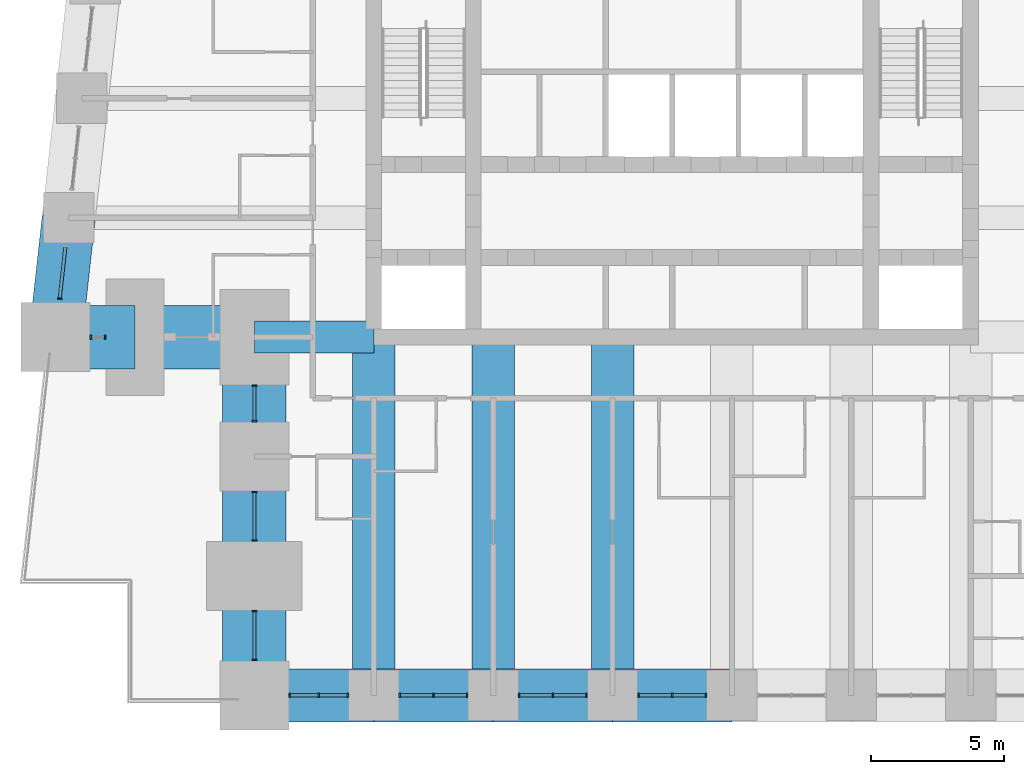
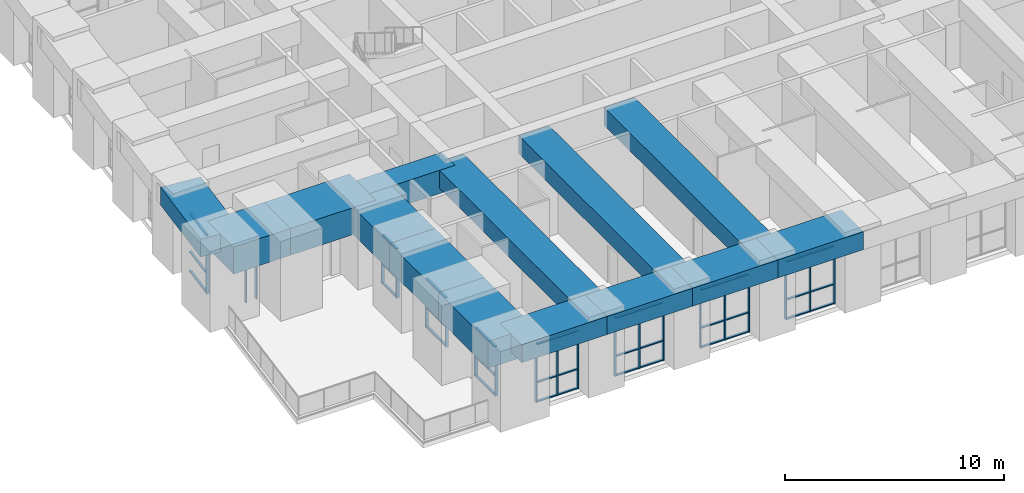
# One storey, part 2 of 16: 57 members, 14 beams, 9 elements without a shape of their own.
"""IFC4 building model written with IfcOpenShell, lengths in metres."""

from ifc_helpers import new_model, si_unit, direction, frame, origin, origin_2d, place, context, subcontext, project, spatial, rectangle, extrude, material, material_profile, profile_set, type_object, element, aggregate, save


model = new_model("IFC4")

# Units and contexts
model_context = context("Model", 3, precision=1e-05, world=origin(), true_north=direction((0.0, 1.0)))
body_context = subcontext(model_context, "Body", "Model", "MODEL_VIEW")
ifc_project = project(units=[si_unit("LENGTHUNIT", "METRE"), si_unit("AREAUNIT", "SQUARE_METRE"), si_unit("VOLUMEUNIT", "CUBIC_METRE"), si_unit("PLANEANGLEUNIT", "RADIAN"), si_unit("MASSUNIT", "GRAM", prefix="KILO")], contexts=[model_context])

# Site, building, storey
site_placement = place(None, origin())
site = spatial("IfcSite", under=ifc_project, at=site_placement, CompositionType="ELEMENT")
building_placement = place(site_placement, origin())
building = spatial("IfcBuilding", under=site, at=building_placement, Name="Kilele Tower Hotel", CompositionType="ELEMENT")
storey_placement = place(building_placement, frame((0.0, 0.0, 157.89990234375)))
storey = spatial("IfcBuildingStorey", under=building, at=storey_placement, Name="L40", CompositionType="ELEMENT", Elevation=157.89990234375)

# Beams
ifc_material_1 = material(Name="Concrete C60/75", Category="concrete")
ifc_material_profile_1 = material_profile(ifc_material_1, rectangle(XDim=1.60009765625, YDim=1.0, at=origin_2d()))
ifc_profile_set_1 = profile_set([ifc_material_profile_1], Name="Concrete C60/75")
beam_type_1 = type_object("IfcBeamType", Name="Beam RC 1600x1000 C60/75", PredefinedType="BEAM", material=ifc_profile_set_1)
for number, where, z_axis, x_axis, name in (
    (1, (13.5, 0.0, 3.75), (0.0, 1.0, 0.0), (-1.0, 0.0, 0.0), "Beam BC1 level L41"),
    (2, (18.0, 0.0, 3.75), (0.0, 1.0, 0.0), (-1.0, 0.0, 0.0), "Beam BC1 level L41"),
    (3, (22.5, 0.0, 3.75), (0.0, 1.0, 0.0), (-1.0, 0.0, 0.0), "Beam BC1 level L41"),
):
    element("IfcBeam", number, at=place(storey_placement, frame(where, z_axis=z_axis, x_axis=x_axis)), inside=storey, type_object=beam_type_1, Name=name, PredefinedType="BEAM", context=body_context, shape_type="SweptSolid", body=[
        extrude(rectangle(XDim=1.60009765625, YDim=1.0, at=origin_2d()), origin(), (0.0, 0.0, 1.0), 13.5),
    ])
ifc_material_2 = material(Name="Concrete C60/75", Category="concrete")
ifc_material_profile_2 = material_profile(ifc_material_2, rectangle(XDim=1.199951171875, YDim=1.300048828125, at=origin_2d()))
ifc_profile_set_2 = profile_set([ifc_material_profile_2], Name="Concrete C60/75")
beam_type_2 = type_object("IfcBeamType", Name="Girder RC 1200x1300 C60/75 short span over transfer", PredefinedType="BEAM", material=ifc_profile_set_2)
beam_1_placement = place(storey_placement, frame((9.0, 13.5, 3.60009765625), z_axis=(1.0, 0.0, 0.0), x_axis=(0.0, 1.0, 0.0)))
element("IfcBeam", 4, at=beam_1_placement, inside=storey, type_object=beam_type_2, Name="Girder G6 level L41", PredefinedType="BEAM", context=body_context, shape_type="SweptSolid", body=[
    extrude(rectangle(XDim=1.199951171875, YDim=1.300048828125, at=origin_2d()), origin(), (0.0, 0.0, 1.0), 4.5),
])

# Curtain wall, members
ifc_material_3 = material(Name="Aluminium curtain wall, clear double glazing", Category="aluminium")
curtain_wall_type = type_object("IfcCurtainWallType", Name="Club lounge curtain wall CW-4", PredefinedType="NOTDEFINED", material=ifc_material_3)
curtain_wall_1_placement = place(storey_placement, origin())
curtain_wall_1 = element("IfcCurtainWall", 5, at=curtain_wall_1_placement, inside=storey, type_object=curtain_wall_type, Name="Club lounge curtain wall CW-4 L40", PredefinedType="NOTDEFINED")
ifc_material_4 = material(Name="Aluminium EN AW-6063 T6", Category="aluminium")
ifc_material_profile_3 = material_profile(ifc_material_4, rectangle(XDim=0.159912109375, YDim=0.06005859375, at=origin_2d()))
ifc_profile_set_3 = profile_set([ifc_material_profile_3], Name="Aluminium EN AW-6063 T6")
member_type_1 = type_object("IfcMemberType", Name="Mullion 60x160 CW-4", PredefinedType="MULLION", material=ifc_profile_set_3)
member_1_placement = place(storey_placement, frame((2.830078125, 13.5, 0.0), z_axis=(0.0, 0.0, 1.0), x_axis=(0.0, 1.0, 0.0)))
member_1 = element("IfcMember", 6, at=member_1_placement, type_object=member_type_1, Name="CW-4 mullion 1", PredefinedType="MULLION", context=body_context, shape_type="SweptSolid", body=[
    extrude(rectangle(XDim=0.159912109375, YDim=0.06005859375, at=origin_2d()), origin(), (0.0, 0.0, 1.0), 2.75),
])
member_2_placement = place(storey_placement, frame((3.3701171875, 13.5, 0.0), z_axis=(0.0, 0.0, 1.0), x_axis=(0.0, 1.0, 0.0)))
member_2 = element("IfcMember", 7, at=member_2_placement, type_object=member_type_1, Name="CW-4 mullion 2", PredefinedType="MULLION", context=body_context, shape_type="SweptSolid", body=[
    extrude(rectangle(XDim=0.159912109375, YDim=0.06005859375, at=origin_2d()), origin(), (0.0, 0.0, 1.0), 2.75),
])
aggregate(curtain_wall_1, [member_1, member_2])

curtain_wall_2_placement = place(storey_placement, origin())
curtain_wall_2 = element("IfcCurtainWall", 8, at=curtain_wall_2_placement, inside=storey, type_object=curtain_wall_type, Name="Club lounge curtain wall CW-4 L40", PredefinedType="NOTDEFINED")
member_3_placement = place(storey_placement, frame((9.0, 11.669921875, 0.0), z_axis=(0.0, 0.0, 1.0), x_axis=(1.0, 0.0, 0.0)))
member_3 = element("IfcMember", 9, at=member_3_placement, type_object=member_type_1, Name="CW-4 mullion 1", PredefinedType="MULLION", context=body_context, shape_type="SweptSolid", body=[
    extrude(rectangle(XDim=0.159912109375, YDim=0.06005859375, at=origin_2d()), origin(), (0.0, 0.0, 1.0), 2.75),
])
member_4_placement = place(storey_placement, frame((9.0, 10.330078125, 0.0), z_axis=(0.0, 0.0, 1.0), x_axis=(1.0, 0.0, 0.0)))
member_4 = element("IfcMember", 10, at=member_4_placement, type_object=member_type_1, Name="CW-4 mullion 2", PredefinedType="MULLION", context=body_context, shape_type="SweptSolid", body=[
    extrude(rectangle(XDim=0.159912109375, YDim=0.06005859375, at=origin_2d()), origin(), (0.0, 0.0, 1.0), 2.75),
])

curtain_wall_3_placement = place(storey_placement, origin())
curtain_wall_3 = element("IfcCurtainWall", 11, at=curtain_wall_3_placement, inside=storey, type_object=curtain_wall_type, Name="Club lounge curtain wall CW-4 L40", PredefinedType="NOTDEFINED")
member_5_placement = place(storey_placement, frame((9.0, 7.669921875, 0.0), z_axis=(0.0, 0.0, 1.0), x_axis=(1.0, 0.0, 0.0)))
member_5 = element("IfcMember", 12, at=member_5_placement, type_object=member_type_1, Name="CW-4 mullion 1", PredefinedType="MULLION", context=body_context, shape_type="SweptSolid", body=[
    extrude(rectangle(XDim=0.159912109375, YDim=0.06005859375, at=origin_2d()), origin(), (0.0, 0.0, 1.0), 2.75),
])
member_6_placement = place(storey_placement, frame((9.0, 5.830078125, 0.0), z_axis=(0.0, 0.0, 1.0), x_axis=(1.0, 0.0, 0.0)))
member_6 = element("IfcMember", 13, at=member_6_placement, type_object=member_type_1, Name="CW-4 mullion 2", PredefinedType="MULLION", context=body_context, shape_type="SweptSolid", body=[
    extrude(rectangle(XDim=0.159912109375, YDim=0.06005859375, at=origin_2d()), origin(), (0.0, 0.0, 1.0), 2.75),
])

curtain_wall_4_placement = place(storey_placement, origin())
curtain_wall_4 = element("IfcCurtainWall", 14, at=curtain_wall_4_placement, inside=storey, type_object=curtain_wall_type, Name="Club lounge curtain wall CW-4 L40", PredefinedType="NOTDEFINED")
member_7_placement = place(storey_placement, frame((9.0, 3.169921875, 0.0), z_axis=(0.0, 0.0, 1.0), x_axis=(1.0, 0.0, 0.0)))
member_7 = element("IfcMember", 15, at=member_7_placement, type_object=member_type_1, Name="CW-4 mullion 1", PredefinedType="MULLION", context=body_context, shape_type="SweptSolid", body=[
    extrude(rectangle(XDim=0.159912109375, YDim=0.06005859375, at=origin_2d()), origin(), (0.0, 0.0, 1.0), 2.75),
])
member_8_placement = place(storey_placement, frame((9.0, 1.330078125, 0.0), z_axis=(0.0, 0.0, 1.0), x_axis=(1.0, 0.0, 0.0)))
member_8 = element("IfcMember", 16, at=member_8_placement, type_object=member_type_1, Name="CW-4 mullion 2", PredefinedType="MULLION", context=body_context, shape_type="SweptSolid", body=[
    extrude(rectangle(XDim=0.159912109375, YDim=0.06005859375, at=origin_2d()), origin(), (0.0, 0.0, 1.0), 2.75),
])

curtain_wall_5_placement = place(storey_placement, origin())
curtain_wall_5 = element("IfcCurtainWall", 17, at=curtain_wall_5_placement, inside=storey, type_object=curtain_wall_type, Name="Club lounge curtain wall CW-4 L40", PredefinedType="NOTDEFINED")
member_9_placement = place(storey_placement, frame((10.330078125, 0.0, 0.0), z_axis=(0.0, 0.0, 1.0), x_axis=(0.0, 1.0, 0.0)))
member_9 = element("IfcMember", 18, at=member_9_placement, type_object=member_type_1, Name="CW-4 mullion 1", PredefinedType="MULLION", context=body_context, shape_type="SweptSolid", body=[
    extrude(rectangle(XDim=0.159912109375, YDim=0.06005859375, at=origin_2d()), origin(), (0.0, 0.0, 1.0), 3.25),
])
member_10_placement = place(storey_placement, frame((11.425048828125, 0.0, 0.0), z_axis=(0.0, 0.0, 1.0), x_axis=(0.0, 1.0, 0.0)))
member_10 = element("IfcMember", 19, at=member_10_placement, type_object=member_type_1, Name="CW-4 mullion 2", PredefinedType="MULLION", context=body_context, shape_type="SweptSolid", body=[
    extrude(rectangle(XDim=0.159912109375, YDim=0.06005859375, at=origin_2d()), origin(), (0.0, 0.0, 1.0), 3.25),
])
member_11_placement = place(storey_placement, frame((12.52001953125, 0.0, 0.0), z_axis=(0.0, 0.0, 1.0), x_axis=(0.0, 1.0, 0.0)))
member_11 = element("IfcMember", 20, at=member_11_placement, type_object=member_type_1, Name="CW-4 mullion 3", PredefinedType="MULLION", context=body_context, shape_type="SweptSolid", body=[
    extrude(rectangle(XDim=0.159912109375, YDim=0.06005859375, at=origin_2d()), origin(), (0.0, 0.0, 1.0), 3.25),
])

curtain_wall_6_placement = place(storey_placement, origin())
curtain_wall_6 = element("IfcCurtainWall", 21, at=curtain_wall_6_placement, inside=storey, type_object=curtain_wall_type, Name="Club lounge curtain wall CW-4 L40", PredefinedType="NOTDEFINED")
member_12_placement = place(storey_placement, frame((14.47998046875, 0.0, 0.0), z_axis=(0.0, 0.0, 1.0), x_axis=(0.0, 1.0, 0.0)))
member_12 = element("IfcMember", 22, at=member_12_placement, type_object=member_type_1, Name="CW-4 mullion 1", PredefinedType="MULLION", context=body_context, shape_type="SweptSolid", body=[
    extrude(rectangle(XDim=0.159912109375, YDim=0.06005859375, at=origin_2d()), origin(), (0.0, 0.0, 1.0), 3.25),
])
member_13_placement = place(storey_placement, frame((15.75, 0.0, 0.0), z_axis=(0.0, 0.0, 1.0), x_axis=(0.0, 1.0, 0.0)))
member_13 = element("IfcMember", 23, at=member_13_placement, type_object=member_type_1, Name="CW-4 mullion 2", PredefinedType="MULLION", context=body_context, shape_type="SweptSolid", body=[
    extrude(rectangle(XDim=0.159912109375, YDim=0.06005859375, at=origin_2d()), origin(), (0.0, 0.0, 1.0), 3.25),
])
member_14_placement = place(storey_placement, frame((17.02001953125, 0.0, 0.0), z_axis=(0.0, 0.0, 1.0), x_axis=(0.0, 1.0, 0.0)))
member_14 = element("IfcMember", 24, at=member_14_placement, type_object=member_type_1, Name="CW-4 mullion 3", PredefinedType="MULLION", context=body_context, shape_type="SweptSolid", body=[
    extrude(rectangle(XDim=0.159912109375, YDim=0.06005859375, at=origin_2d()), origin(), (0.0, 0.0, 1.0), 3.25),
])

curtain_wall_7_placement = place(storey_placement, origin())
curtain_wall_7 = element("IfcCurtainWall", 25, at=curtain_wall_7_placement, inside=storey, type_object=curtain_wall_type, Name="Club lounge curtain wall CW-4 L40", PredefinedType="NOTDEFINED")
member_15_placement = place(storey_placement, frame((18.97998046875, 0.0, 0.0), z_axis=(0.0, 0.0, 1.0), x_axis=(0.0, 1.0, 0.0)))
member_15 = element("IfcMember", 26, at=member_15_placement, type_object=member_type_1, Name="CW-4 mullion 1", PredefinedType="MULLION", context=body_context, shape_type="SweptSolid", body=[
    extrude(rectangle(XDim=0.159912109375, YDim=0.06005859375, at=origin_2d()), origin(), (0.0, 0.0, 1.0), 3.25),
])
member_16_placement = place(storey_placement, frame((20.25, 0.0, 0.0), z_axis=(0.0, 0.0, 1.0), x_axis=(0.0, 1.0, 0.0)))
member_16 = element("IfcMember", 27, at=member_16_placement, type_object=member_type_1, Name="CW-4 mullion 2", PredefinedType="MULLION", context=body_context, shape_type="SweptSolid", body=[
    extrude(rectangle(XDim=0.159912109375, YDim=0.06005859375, at=origin_2d()), origin(), (0.0, 0.0, 1.0), 3.25),
])
member_17_placement = place(storey_placement, frame((21.52001953125, 0.0, 0.0), z_axis=(0.0, 0.0, 1.0), x_axis=(0.0, 1.0, 0.0)))
member_17 = element("IfcMember", 28, at=member_17_placement, type_object=member_type_1, Name="CW-4 mullion 3", PredefinedType="MULLION", context=body_context, shape_type="SweptSolid", body=[
    extrude(rectangle(XDim=0.159912109375, YDim=0.06005859375, at=origin_2d()), origin(), (0.0, 0.0, 1.0), 3.25),
])

curtain_wall_8_placement = place(storey_placement, origin())
curtain_wall_8 = element("IfcCurtainWall", 29, at=curtain_wall_8_placement, inside=storey, type_object=curtain_wall_type, Name="Club lounge curtain wall CW-4 L40", PredefinedType="NOTDEFINED")
member_18_placement = place(storey_placement, frame((23.47998046875, 0.0, 0.0), z_axis=(0.0, 0.0, 1.0), x_axis=(0.0, 1.0, 0.0)))
member_18 = element("IfcMember", 30, at=member_18_placement, type_object=member_type_1, Name="CW-4 mullion 1", PredefinedType="MULLION", context=body_context, shape_type="SweptSolid", body=[
    extrude(rectangle(XDim=0.159912109375, YDim=0.06005859375, at=origin_2d()), origin(), (0.0, 0.0, 1.0), 3.25),
])
member_19_placement = place(storey_placement, frame((24.75, 0.0, 0.0), z_axis=(0.0, 0.0, 1.0), x_axis=(0.0, 1.0, 0.0)))
member_19 = element("IfcMember", 31, at=member_19_placement, type_object=member_type_1, Name="CW-4 mullion 2", PredefinedType="MULLION", context=body_context, shape_type="SweptSolid", body=[
    extrude(rectangle(XDim=0.159912109375, YDim=0.06005859375, at=origin_2d()), origin(), (0.0, 0.0, 1.0), 3.25),
])
member_20_placement = place(storey_placement, frame((26.02001953125, 0.0, 0.0), z_axis=(0.0, 0.0, 1.0), x_axis=(0.0, 1.0, 0.0)))
member_20 = element("IfcMember", 32, at=member_20_placement, type_object=member_type_1, Name="CW-4 mullion 3", PredefinedType="MULLION", context=body_context, shape_type="SweptSolid", body=[
    extrude(rectangle(XDim=0.159912109375, YDim=0.06005859375, at=origin_2d()), origin(), (0.0, 0.0, 1.0), 3.25),
])

# Curtain wall, member
curtain_wall_9_placement = place(storey_placement, origin())
curtain_wall_9 = element("IfcCurtainWall", 33, at=curtain_wall_9_placement, inside=storey, type_object=curtain_wall_type, Name="Club lounge curtain wall CW-4 L40", PredefinedType="NOTDEFINED")
member_21_placement = place(storey_placement, frame((1.661865234375, 14.95654296875, 0.0), z_axis=(0.0, 0.0, 1.0), x_axis=(0.993883734679, -0.110431526024, 0.0)))
member_21 = element("IfcMember", 34, at=member_21_placement, type_object=member_type_1, Name="CW-4 mullion 2", PredefinedType="MULLION", context=body_context, shape_type="SweptSolid", body=[
    extrude(rectangle(XDim=0.159912109375, YDim=0.06005859375, at=origin_2d()), origin(), (0.0, 0.0, 1.0), 3.25),
])

# Beams
ifc_material_5 = material(Name="Concrete C60/75", Category="concrete")
ifc_material_profile_4 = material_profile(ifc_material_5, rectangle(XDim=2.0, YDim=1.0, at=origin_2d()))
ifc_profile_set_4 = profile_set([ifc_material_profile_4], Name="Concrete C60/75")
beam_type_3 = type_object("IfcBeamType", Name="Spandrel RC 2000x1000 C60/75", PredefinedType="SPANDREL", material=ifc_profile_set_4)
for number, where, z_axis, x_axis, name in (
    (35, (9.0, 0.0, 3.75), (1.0, 0.0, 0.0), (0.0, 1.0, 0.0), "Spandrel SP3 level L41"),
    (36, (13.5, 0.0, 3.75), (1.0, 0.0, 0.0), (0.0, 1.0, 0.0), "Spandrel SP3 level L41"),
    (37, (18.0, 0.0, 3.75), (1.0, 0.0, 0.0), (0.0, 1.0, 0.0), "Spandrel SP3 level L41"),
    (38, (22.5, 0.0, 3.75), (1.0, 0.0, 0.0), (0.0, 1.0, 0.0), "Spandrel SP3 level L41"),
):
    element("IfcBeam", number, at=place(storey_placement, frame(where, z_axis=z_axis, x_axis=x_axis)), inside=storey, type_object=beam_type_3, Name=name, PredefinedType="SPANDREL", context=body_context, shape_type="SweptSolid", body=[
        extrude(rectangle(XDim=2.0, YDim=1.0, at=origin_2d()), origin(), (0.0, 0.0, 1.0), 4.5),
    ])
beam_2_placement = place(storey_placement, frame((2.0, 18.0, 3.75), z_axis=(-0.110431526075, -0.993883734674, 0.0), x_axis=(0.993883734674, -0.110431526075, 0.0)))
element("IfcBeam", 39, at=beam_2_placement, inside=storey, type_object=beam_type_3, Name="Spandrel SP3 level L41", PredefinedType="SPANDREL", context=body_context, shape_type="SweptSolid", body=[
    extrude(rectangle(XDim=2.0, YDim=1.0, at=origin_2d()), origin(), (0.0, 0.0, 1.0), 4.527587890625),
])
ifc_material_6 = material(Name="Concrete C60/75", Category="concrete")
ifc_material_profile_5 = material_profile(ifc_material_6, rectangle(XDim=2.39990234375, YDim=1.5, at=origin_2d()))
ifc_profile_set_5 = profile_set([ifc_material_profile_5], Name="Concrete C60/75")
beam_type_4 = type_object("IfcBeamType", Name="Spandrel RC 2400x1500 C60/75", PredefinedType="SPANDREL", material=ifc_profile_set_5)
beam_3_placement = place(storey_placement, frame((1.5, 13.5, 3.5), z_axis=(1.0, 0.0, 0.0), x_axis=(0.0, 1.0, 0.0)))
element("IfcBeam", 40, at=beam_3_placement, inside=storey, type_object=beam_type_4, Name="Spandrel SP14 level L41", PredefinedType="SPANDREL", context=body_context, shape_type="SweptSolid", body=[
    extrude(rectangle(XDim=2.39990234375, YDim=1.5, at=origin_2d()), origin(), (0.0, 0.0, 1.0), 3.0),
])
for number, where, z_axis, x_axis, name in (
    (41, (4.5, 13.5, 3.5), (1.0, 0.0, 0.0), (0.0, 1.0, 0.0), "Spandrel SP14 level L41"),
    (42, (9.0, 13.5, 3.5), (0.0, -1.0, 0.0), (1.0, 0.0, 0.0), "Spandrel SP14 level L41"),
    (43, (9.0, 9.0, 3.5), (0.0, -1.0, 0.0), (1.0, 0.0, 0.0), "Spandrel SP14 level L41"),
    (44, (9.0, 4.5, 3.5), (0.0, -1.0, 0.0), (1.0, 0.0, 0.0), "Spandrel SP14 level L41"),
):
    element("IfcBeam", number, at=place(storey_placement, frame(where, z_axis=z_axis, x_axis=x_axis)), inside=storey, type_object=beam_type_4, Name=name, PredefinedType="SPANDREL", context=body_context, shape_type="SweptSolid", body=[
        extrude(rectangle(XDim=2.39990234375, YDim=1.5, at=origin_2d()), origin(), (0.0, 0.0, 1.0), 4.5),
    ])

# Member
ifc_material_7 = material(Name="Aluminium EN AW-6063 T6", Category="aluminium")
ifc_material_profile_6 = material_profile(ifc_material_7, rectangle(XDim=0.1201171875, YDim=0.06005859375, at=origin_2d()))
ifc_profile_set_6 = profile_set([ifc_material_profile_6], Name="Aluminium EN AW-6063 T6")
member_type_2 = type_object("IfcMemberType", Name="Transom 60x120 CW-4", PredefinedType="USERDEFINED", material=ifc_profile_set_6)
member_22_placement = place(storey_placement, frame((9.0, 11.639892578125, 0.030029296875), z_axis=(0.0, -1.0, 0.0), x_axis=(1.0, 0.0, 0.0)))
member_22 = element("IfcMember", 45, at=member_22_placement, type_object=member_type_2, Name="CW-4 transom 1.1", ObjectType="TRANSOM", PredefinedType="USERDEFINED", context=body_context, shape_type="SweptSolid", body=[
    extrude(rectangle(XDim=0.1201171875, YDim=0.06005859375, at=origin_2d()), origin(), (0.0, 0.0, 1.0), 1.27978515625),
])

member_23_placement = place(storey_placement, frame((9.0, 11.639892578125, 1.10009765625), z_axis=(0.0, -1.0, 0.0), x_axis=(1.0, 0.0, 0.0)))
member_23 = element("IfcMember", 46, at=member_23_placement, type_object=member_type_2, Name="CW-4 transom 1.2", ObjectType="TRANSOM", PredefinedType="USERDEFINED", context=body_context, shape_type="SweptSolid", body=[
    extrude(rectangle(XDim=0.1201171875, YDim=0.06005859375, at=origin_2d()), origin(), (0.0, 0.0, 1.0), 1.27978515625),
])

member_24_placement = place(storey_placement, frame((9.0, 11.639892578125, 2.72021484375), z_axis=(0.0, -1.0, 0.0), x_axis=(1.0, 0.0, 0.0)))
member_24 = element("IfcMember", 47, at=member_24_placement, type_object=member_type_2, Name="CW-4 transom 1.3", ObjectType="TRANSOM", PredefinedType="USERDEFINED", context=body_context, shape_type="SweptSolid", body=[
    extrude(rectangle(XDim=0.1201171875, YDim=0.06005859375, at=origin_2d()), origin(), (0.0, 0.0, 1.0), 1.27978515625),
])

aggregate(curtain_wall_2, [member_3, member_4, member_22, member_23, member_24])

member_25_placement = place(storey_placement, frame((9.0, 7.639892578125, 0.030029296875), z_axis=(0.0, -1.0, 0.0), x_axis=(1.0, 0.0, 0.0)))
member_25 = element("IfcMember", 48, at=member_25_placement, type_object=member_type_2, Name="CW-4 transom 1.1", ObjectType="TRANSOM", PredefinedType="USERDEFINED", context=body_context, shape_type="SweptSolid", body=[
    extrude(rectangle(XDim=0.1201171875, YDim=0.06005859375, at=origin_2d()), origin(), (0.0, 0.0, 1.0), 1.77978515625),
])

member_26_placement = place(storey_placement, frame((9.0, 7.639892578125, 1.10009765625), z_axis=(0.0, -1.0, 0.0), x_axis=(1.0, 0.0, 0.0)))
member_26 = element("IfcMember", 49, at=member_26_placement, type_object=member_type_2, Name="CW-4 transom 1.2", ObjectType="TRANSOM", PredefinedType="USERDEFINED", context=body_context, shape_type="SweptSolid", body=[
    extrude(rectangle(XDim=0.1201171875, YDim=0.06005859375, at=origin_2d()), origin(), (0.0, 0.0, 1.0), 1.77978515625),
])

member_27_placement = place(storey_placement, frame((9.0, 7.639892578125, 2.72021484375), z_axis=(0.0, -1.0, 0.0), x_axis=(1.0, 0.0, 0.0)))
member_27 = element("IfcMember", 50, at=member_27_placement, type_object=member_type_2, Name="CW-4 transom 1.3", ObjectType="TRANSOM", PredefinedType="USERDEFINED", context=body_context, shape_type="SweptSolid", body=[
    extrude(rectangle(XDim=0.1201171875, YDim=0.06005859375, at=origin_2d()), origin(), (0.0, 0.0, 1.0), 1.77978515625),
])

aggregate(curtain_wall_3, [member_5, member_6, member_25, member_26, member_27])

member_28_placement = place(storey_placement, frame((9.0, 3.139892578125, 0.030029296875), z_axis=(0.0, -1.0, 0.0), x_axis=(1.0, 0.0, 0.0)))
member_28 = element("IfcMember", 51, at=member_28_placement, type_object=member_type_2, Name="CW-4 transom 1.1", ObjectType="TRANSOM", PredefinedType="USERDEFINED", context=body_context, shape_type="SweptSolid", body=[
    extrude(rectangle(XDim=0.1201171875, YDim=0.06005859375, at=origin_2d()), origin(), (0.0, 0.0, 1.0), 1.77978515625),
])

member_29_placement = place(storey_placement, frame((9.0, 3.139892578125, 1.10009765625), z_axis=(0.0, -1.0, 0.0), x_axis=(1.0, 0.0, 0.0)))
member_29 = element("IfcMember", 52, at=member_29_placement, type_object=member_type_2, Name="CW-4 transom 1.2", ObjectType="TRANSOM", PredefinedType="USERDEFINED", context=body_context, shape_type="SweptSolid", body=[
    extrude(rectangle(XDim=0.1201171875, YDim=0.06005859375, at=origin_2d()), origin(), (0.0, 0.0, 1.0), 1.77978515625),
])

member_30_placement = place(storey_placement, frame((9.0, 3.139892578125, 2.72021484375), z_axis=(0.0, -1.0, 0.0), x_axis=(1.0, 0.0, 0.0)))
member_30 = element("IfcMember", 53, at=member_30_placement, type_object=member_type_2, Name="CW-4 transom 1.3", ObjectType="TRANSOM", PredefinedType="USERDEFINED", context=body_context, shape_type="SweptSolid", body=[
    extrude(rectangle(XDim=0.1201171875, YDim=0.06005859375, at=origin_2d()), origin(), (0.0, 0.0, 1.0), 1.77978515625),
])

aggregate(curtain_wall_4, [member_7, member_8, member_28, member_29, member_30])

member_31_placement = place(storey_placement, frame((10.360107421875, 0.0, 0.030029296875), z_axis=(1.0, 0.0, 0.0), x_axis=(0.0, 1.0, 0.0)))
member_31 = element("IfcMember", 54, at=member_31_placement, type_object=member_type_2, Name="CW-4 transom 1.1", ObjectType="TRANSOM", PredefinedType="USERDEFINED", context=body_context, shape_type="SweptSolid", body=[
    extrude(rectangle(XDim=0.1201171875, YDim=0.06005859375, at=origin_2d()), origin(), (0.0, 0.0, 1.0), 1.034912109375),
])

member_32_placement = place(storey_placement, frame((10.360107421875, 0.0, 1.10009765625), z_axis=(1.0, 0.0, 0.0), x_axis=(0.0, 1.0, 0.0)))
member_32 = element("IfcMember", 55, at=member_32_placement, type_object=member_type_2, Name="CW-4 transom 1.2", ObjectType="TRANSOM", PredefinedType="USERDEFINED", context=body_context, shape_type="SweptSolid", body=[
    extrude(rectangle(XDim=0.1201171875, YDim=0.06005859375, at=origin_2d()), origin(), (0.0, 0.0, 1.0), 1.034912109375),
])

member_33_placement = place(storey_placement, frame((10.360107421875, 0.0, 3.22021484375), z_axis=(1.0, 0.0, 0.0), x_axis=(0.0, 1.0, 0.0)))
member_33 = element("IfcMember", 56, at=member_33_placement, type_object=member_type_2, Name="CW-4 transom 1.3", ObjectType="TRANSOM", PredefinedType="USERDEFINED", context=body_context, shape_type="SweptSolid", body=[
    extrude(rectangle(XDim=0.1201171875, YDim=0.06005859375, at=origin_2d()), origin(), (0.0, 0.0, 1.0), 1.034912109375),
])

member_34_placement = place(storey_placement, frame((11.455078125, 0.0, 0.030029296875), z_axis=(1.0, 0.0, 0.0), x_axis=(0.0, 1.0, 0.0)))
member_34 = element("IfcMember", 57, at=member_34_placement, type_object=member_type_2, Name="CW-4 transom 2.1", ObjectType="TRANSOM", PredefinedType="USERDEFINED", context=body_context, shape_type="SweptSolid", body=[
    extrude(rectangle(XDim=0.1201171875, YDim=0.06005859375, at=origin_2d()), origin(), (0.0, 0.0, 1.0), 1.034912109375),
])

member_35_placement = place(storey_placement, frame((11.455078125, 0.0, 1.10009765625), z_axis=(1.0, 0.0, 0.0), x_axis=(0.0, 1.0, 0.0)))
member_35 = element("IfcMember", 58, at=member_35_placement, type_object=member_type_2, Name="CW-4 transom 2.2", ObjectType="TRANSOM", PredefinedType="USERDEFINED", context=body_context, shape_type="SweptSolid", body=[
    extrude(rectangle(XDim=0.1201171875, YDim=0.06005859375, at=origin_2d()), origin(), (0.0, 0.0, 1.0), 1.034912109375),
])

member_36_placement = place(storey_placement, frame((11.455078125, 0.0, 3.22021484375), z_axis=(1.0, 0.0, 0.0), x_axis=(0.0, 1.0, 0.0)))
member_36 = element("IfcMember", 59, at=member_36_placement, type_object=member_type_2, Name="CW-4 transom 2.3", ObjectType="TRANSOM", PredefinedType="USERDEFINED", context=body_context, shape_type="SweptSolid", body=[
    extrude(rectangle(XDim=0.1201171875, YDim=0.06005859375, at=origin_2d()), origin(), (0.0, 0.0, 1.0), 1.034912109375),
])

aggregate(curtain_wall_5, [member_9, member_10, member_11, member_31, member_32, member_33, member_34, member_35, member_36])

member_37_placement = place(storey_placement, frame((14.510009765625, 0.0, 0.030029296875), z_axis=(1.0, 0.0, 0.0), x_axis=(0.0, 1.0, 0.0)))
member_37 = element("IfcMember", 60, at=member_37_placement, type_object=member_type_2, Name="CW-4 transom 1.1", ObjectType="TRANSOM", PredefinedType="USERDEFINED", context=body_context, shape_type="SweptSolid", body=[
    extrude(rectangle(XDim=0.1201171875, YDim=0.06005859375, at=origin_2d()), origin(), (0.0, 0.0, 1.0), 1.2099609375),
])

member_38_placement = place(storey_placement, frame((14.510009765625, 0.0, 1.10009765625), z_axis=(1.0, 0.0, 0.0), x_axis=(0.0, 1.0, 0.0)))
member_38 = element("IfcMember", 61, at=member_38_placement, type_object=member_type_2, Name="CW-4 transom 1.2", ObjectType="TRANSOM", PredefinedType="USERDEFINED", context=body_context, shape_type="SweptSolid", body=[
    extrude(rectangle(XDim=0.1201171875, YDim=0.06005859375, at=origin_2d()), origin(), (0.0, 0.0, 1.0), 1.2099609375),
])

member_39_placement = place(storey_placement, frame((14.510009765625, 0.0, 3.22021484375), z_axis=(1.0, 0.0, 0.0), x_axis=(0.0, 1.0, 0.0)))
member_39 = element("IfcMember", 62, at=member_39_placement, type_object=member_type_2, Name="CW-4 transom 1.3", ObjectType="TRANSOM", PredefinedType="USERDEFINED", context=body_context, shape_type="SweptSolid", body=[
    extrude(rectangle(XDim=0.1201171875, YDim=0.06005859375, at=origin_2d()), origin(), (0.0, 0.0, 1.0), 1.2099609375),
])

member_40_placement = place(storey_placement, frame((15.780029296875, 0.0, 0.030029296875), z_axis=(1.0, 0.0, 0.0), x_axis=(0.0, 1.0, 0.0)))
member_40 = element("IfcMember", 63, at=member_40_placement, type_object=member_type_2, Name="CW-4 transom 2.1", ObjectType="TRANSOM", PredefinedType="USERDEFINED", context=body_context, shape_type="SweptSolid", body=[
    extrude(rectangle(XDim=0.1201171875, YDim=0.06005859375, at=origin_2d()), origin(), (0.0, 0.0, 1.0), 1.2099609375),
])

member_41_placement = place(storey_placement, frame((15.780029296875, 0.0, 1.10009765625), z_axis=(1.0, 0.0, 0.0), x_axis=(0.0, 1.0, 0.0)))
member_41 = element("IfcMember", 64, at=member_41_placement, type_object=member_type_2, Name="CW-4 transom 2.2", ObjectType="TRANSOM", PredefinedType="USERDEFINED", context=body_context, shape_type="SweptSolid", body=[
    extrude(rectangle(XDim=0.1201171875, YDim=0.06005859375, at=origin_2d()), origin(), (0.0, 0.0, 1.0), 1.2099609375),
])

member_42_placement = place(storey_placement, frame((15.780029296875, 0.0, 3.22021484375), z_axis=(1.0, 0.0, 0.0), x_axis=(0.0, 1.0, 0.0)))
member_42 = element("IfcMember", 65, at=member_42_placement, type_object=member_type_2, Name="CW-4 transom 2.3", ObjectType="TRANSOM", PredefinedType="USERDEFINED", context=body_context, shape_type="SweptSolid", body=[
    extrude(rectangle(XDim=0.1201171875, YDim=0.06005859375, at=origin_2d()), origin(), (0.0, 0.0, 1.0), 1.2099609375),
])

aggregate(curtain_wall_6, [member_12, member_13, member_14, member_37, member_38, member_39, member_40, member_41, member_42])

member_43_placement = place(storey_placement, frame((19.010009765625, 0.0, 0.030029296875), z_axis=(1.0, 0.0, 0.0), x_axis=(0.0, 1.0, 0.0)))
member_43 = element("IfcMember", 66, at=member_43_placement, type_object=member_type_2, Name="CW-4 transom 1.1", ObjectType="TRANSOM", PredefinedType="USERDEFINED", context=body_context, shape_type="SweptSolid", body=[
    extrude(rectangle(XDim=0.1201171875, YDim=0.06005859375, at=origin_2d()), origin(), (0.0, 0.0, 1.0), 1.2099609375),
])

member_44_placement = place(storey_placement, frame((19.010009765625, 0.0, 1.10009765625), z_axis=(1.0, 0.0, 0.0), x_axis=(0.0, 1.0, 0.0)))
member_44 = element("IfcMember", 67, at=member_44_placement, type_object=member_type_2, Name="CW-4 transom 1.2", ObjectType="TRANSOM", PredefinedType="USERDEFINED", context=body_context, shape_type="SweptSolid", body=[
    extrude(rectangle(XDim=0.1201171875, YDim=0.06005859375, at=origin_2d()), origin(), (0.0, 0.0, 1.0), 1.2099609375),
])

member_45_placement = place(storey_placement, frame((19.010009765625, 0.0, 3.22021484375), z_axis=(1.0, 0.0, 0.0), x_axis=(0.0, 1.0, 0.0)))
member_45 = element("IfcMember", 68, at=member_45_placement, type_object=member_type_2, Name="CW-4 transom 1.3", ObjectType="TRANSOM", PredefinedType="USERDEFINED", context=body_context, shape_type="SweptSolid", body=[
    extrude(rectangle(XDim=0.1201171875, YDim=0.06005859375, at=origin_2d()), origin(), (0.0, 0.0, 1.0), 1.2099609375),
])

member_46_placement = place(storey_placement, frame((20.280029296875, 0.0, 0.030029296875), z_axis=(1.0, 0.0, 0.0), x_axis=(0.0, 1.0, 0.0)))
member_46 = element("IfcMember", 69, at=member_46_placement, type_object=member_type_2, Name="CW-4 transom 2.1", ObjectType="TRANSOM", PredefinedType="USERDEFINED", context=body_context, shape_type="SweptSolid", body=[
    extrude(rectangle(XDim=0.1201171875, YDim=0.06005859375, at=origin_2d()), origin(), (0.0, 0.0, 1.0), 1.2099609375),
])

member_47_placement = place(storey_placement, frame((20.280029296875, 0.0, 1.10009765625), z_axis=(1.0, 0.0, 0.0), x_axis=(0.0, 1.0, 0.0)))
member_47 = element("IfcMember", 70, at=member_47_placement, type_object=member_type_2, Name="CW-4 transom 2.2", ObjectType="TRANSOM", PredefinedType="USERDEFINED", context=body_context, shape_type="SweptSolid", body=[
    extrude(rectangle(XDim=0.1201171875, YDim=0.06005859375, at=origin_2d()), origin(), (0.0, 0.0, 1.0), 1.2099609375),
])

member_48_placement = place(storey_placement, frame((20.280029296875, 0.0, 3.22021484375), z_axis=(1.0, 0.0, 0.0), x_axis=(0.0, 1.0, 0.0)))
member_48 = element("IfcMember", 71, at=member_48_placement, type_object=member_type_2, Name="CW-4 transom 2.3", ObjectType="TRANSOM", PredefinedType="USERDEFINED", context=body_context, shape_type="SweptSolid", body=[
    extrude(rectangle(XDim=0.1201171875, YDim=0.06005859375, at=origin_2d()), origin(), (0.0, 0.0, 1.0), 1.2099609375),
])

aggregate(curtain_wall_7, [member_15, member_16, member_17, member_43, member_44, member_45, member_46, member_47, member_48])

member_49_placement = place(storey_placement, frame((23.510009765625, 0.0, 0.030029296875), z_axis=(1.0, 0.0, 0.0), x_axis=(0.0, 1.0, 0.0)))
member_49 = element("IfcMember", 72, at=member_49_placement, type_object=member_type_2, Name="CW-4 transom 1.1", ObjectType="TRANSOM", PredefinedType="USERDEFINED", context=body_context, shape_type="SweptSolid", body=[
    extrude(rectangle(XDim=0.1201171875, YDim=0.06005859375, at=origin_2d()), origin(), (0.0, 0.0, 1.0), 1.2099609375),
])

member_50_placement = place(storey_placement, frame((23.510009765625, 0.0, 1.10009765625), z_axis=(1.0, 0.0, 0.0), x_axis=(0.0, 1.0, 0.0)))
member_50 = element("IfcMember", 73, at=member_50_placement, type_object=member_type_2, Name="CW-4 transom 1.2", ObjectType="TRANSOM", PredefinedType="USERDEFINED", context=body_context, shape_type="SweptSolid", body=[
    extrude(rectangle(XDim=0.1201171875, YDim=0.06005859375, at=origin_2d()), origin(), (0.0, 0.0, 1.0), 1.2099609375),
])

member_51_placement = place(storey_placement, frame((23.510009765625, 0.0, 3.22021484375), z_axis=(1.0, 0.0, 0.0), x_axis=(0.0, 1.0, 0.0)))
member_51 = element("IfcMember", 74, at=member_51_placement, type_object=member_type_2, Name="CW-4 transom 1.3", ObjectType="TRANSOM", PredefinedType="USERDEFINED", context=body_context, shape_type="SweptSolid", body=[
    extrude(rectangle(XDim=0.1201171875, YDim=0.06005859375, at=origin_2d()), origin(), (0.0, 0.0, 1.0), 1.2099609375),
])

member_52_placement = place(storey_placement, frame((24.780029296875, 0.0, 0.030029296875), z_axis=(1.0, 0.0, 0.0), x_axis=(0.0, 1.0, 0.0)))
member_52 = element("IfcMember", 75, at=member_52_placement, type_object=member_type_2, Name="CW-4 transom 2.1", ObjectType="TRANSOM", PredefinedType="USERDEFINED", context=body_context, shape_type="SweptSolid", body=[
    extrude(rectangle(XDim=0.1201171875, YDim=0.06005859375, at=origin_2d()), origin(), (0.0, 0.0, 1.0), 1.2099609375),
])

member_53_placement = place(storey_placement, frame((24.780029296875, 0.0, 1.10009765625), z_axis=(1.0, 0.0, 0.0), x_axis=(0.0, 1.0, 0.0)))
member_53 = element("IfcMember", 76, at=member_53_placement, type_object=member_type_2, Name="CW-4 transom 2.2", ObjectType="TRANSOM", PredefinedType="USERDEFINED", context=body_context, shape_type="SweptSolid", body=[
    extrude(rectangle(XDim=0.1201171875, YDim=0.06005859375, at=origin_2d()), origin(), (0.0, 0.0, 1.0), 1.2099609375),
])

member_54_placement = place(storey_placement, frame((24.780029296875, 0.0, 3.22021484375), z_axis=(1.0, 0.0, 0.0), x_axis=(0.0, 1.0, 0.0)))
member_54 = element("IfcMember", 77, at=member_54_placement, type_object=member_type_2, Name="CW-4 transom 2.3", ObjectType="TRANSOM", PredefinedType="USERDEFINED", context=body_context, shape_type="SweptSolid", body=[
    extrude(rectangle(XDim=0.1201171875, YDim=0.06005859375, at=origin_2d()), origin(), (0.0, 0.0, 1.0), 1.2099609375),
])

aggregate(curtain_wall_8, [member_18, member_19, member_20, member_49, member_50, member_51, member_52, member_53, member_54])

member_55_placement = place(storey_placement, frame((1.87744140625, 16.897705078125, 0.030029296875), z_axis=(-0.110333978031, -0.993894568499, 0.0), x_axis=(0.993894568499, -0.110333978031, 0.0)))
member_55 = element("IfcMember", 78, at=member_55_placement, type_object=member_type_2, Name="CW-4 transom 1.1", ObjectType="TRANSOM", PredefinedType="USERDEFINED", context=body_context, shape_type="SweptSolid", body=[
    extrude(rectangle(XDim=0.1201171875, YDim=0.06005859375, at=origin_2d()), origin(), (0.0, 0.0, 1.0), 1.9228515625),
])

member_56_placement = place(storey_placement, frame((1.87744140625, 16.897705078125, 1.10009765625), z_axis=(-0.110333978031, -0.993894568499, 0.0), x_axis=(0.993894568499, -0.110333978031, 0.0)))
member_56 = element("IfcMember", 79, at=member_56_placement, type_object=member_type_2, Name="CW-4 transom 1.2", ObjectType="TRANSOM", PredefinedType="USERDEFINED", context=body_context, shape_type="SweptSolid", body=[
    extrude(rectangle(XDim=0.1201171875, YDim=0.06005859375, at=origin_2d()), origin(), (0.0, 0.0, 1.0), 1.9228515625),
])

member_57_placement = place(storey_placement, frame((1.87744140625, 16.897705078125, 3.22021484375), z_axis=(-0.110333978031, -0.993894568499, 0.0), x_axis=(0.993894568499, -0.110333978031, 0.0)))
member_57 = element("IfcMember", 80, at=member_57_placement, type_object=member_type_2, Name="CW-4 transom 1.3", ObjectType="TRANSOM", PredefinedType="USERDEFINED", context=body_context, shape_type="SweptSolid", body=[
    extrude(rectangle(XDim=0.1201171875, YDim=0.06005859375, at=origin_2d()), origin(), (0.0, 0.0, 1.0), 1.9228515625),
])

aggregate(curtain_wall_9, [member_21, member_55, member_56, member_57])

save(model, "model.ifc")
